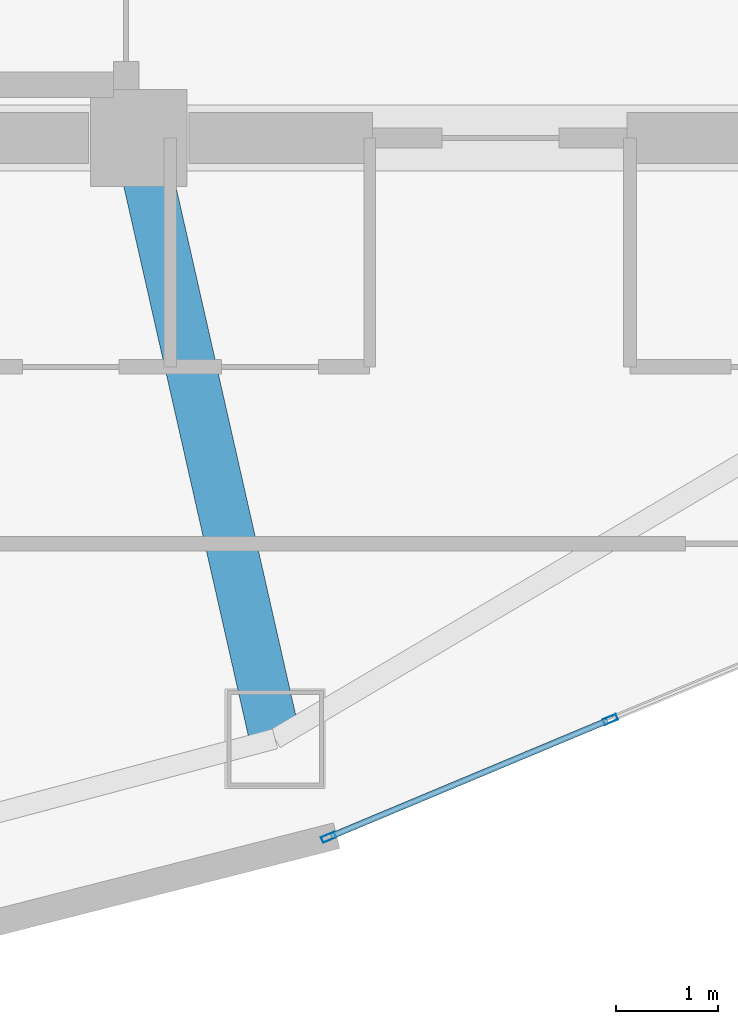
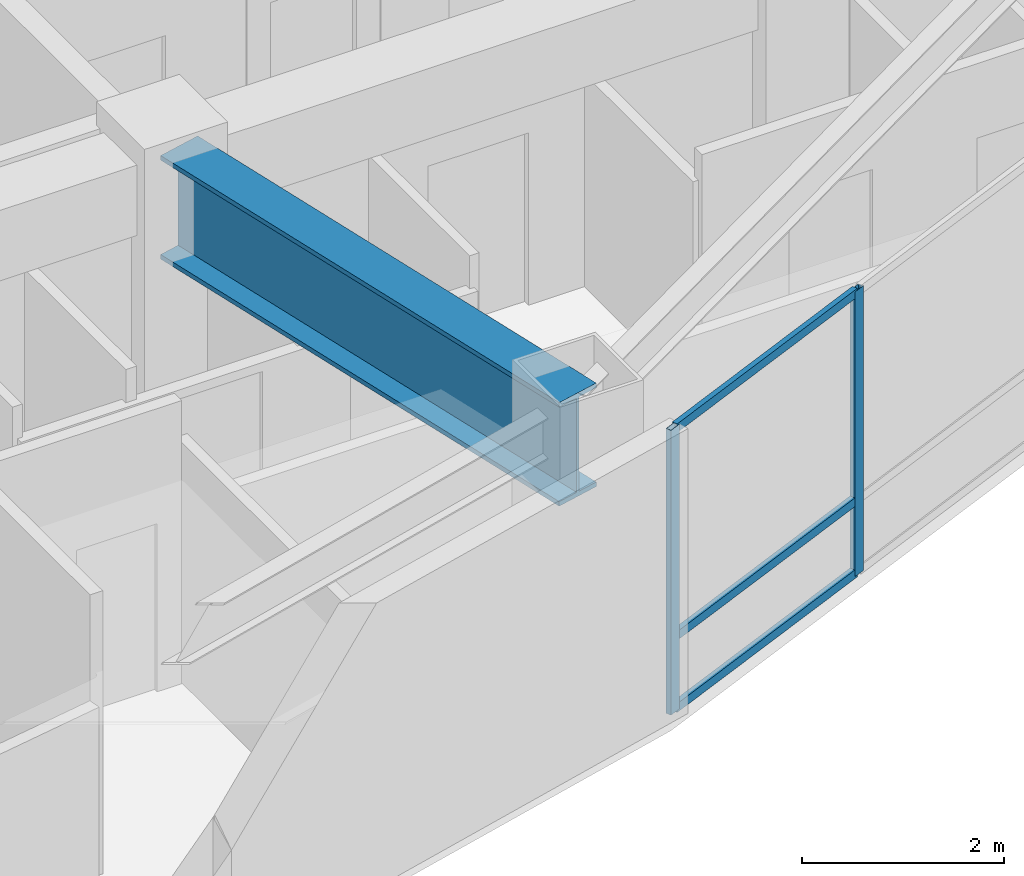
# One storey, part 2 of 15: 5 members, 1 beam, 1 element without a shape of its own.
"""IFC4 building model written with IfcOpenShell, lengths in metres."""

from ifc_helpers import new_model, si_unit, direction, frame, origin, origin_2d, place, context, subcontext, project, spatial, hollow_rectangle, i_section, extrude, material, layer, layer_set, material_profile, profile_set, type_object, element, aggregate, save


model = new_model("IFC4")

# Units and contexts
model_context = context("Model", 3, precision=1e-05, world=origin(), true_north=direction((0.0, 1.0)))
body_context = subcontext(model_context, "Body", "Model", "MODEL_VIEW")
ifc_project = project(units=[si_unit("LENGTHUNIT", "METRE"), si_unit("AREAUNIT", "SQUARE_METRE"), si_unit("VOLUMEUNIT", "CUBIC_METRE"), si_unit("PLANEANGLEUNIT", "RADIAN"), si_unit("MASSUNIT", "GRAM", prefix="KILO")], contexts=[model_context])

# Site, building, storey
site_placement = place(None, origin())
site = spatial("IfcSite", under=ifc_project, at=site_placement, CompositionType="ELEMENT")
building_placement = place(site_placement, origin())
building = spatial("IfcBuilding", under=site, at=building_placement, Name="Menara Vayukalpa", CompositionType="ELEMENT")
storey_placement = place(building_placement, frame((0.0, 0.0, 230.699951171875)))
storey = spatial("IfcBuildingStorey", under=building, at=storey_placement, Name="L58", CompositionType="ELEMENT", Elevation=230.699951171875)

# Beam
ifc_material_1 = material(Name="Steel S460", Category="steel")
ifc_material_profile_1 = material_profile(ifc_material_1, i_section(OverallWidth=0.5, OverallDepth=1.25, WebThickness=0.028076171875, FlangeThickness=0.054931640625, at=origin_2d()), Name="WG 1250x500x28x55")
ifc_profile_set_1 = profile_set([ifc_material_profile_1], Name="Steel S460")
beam_type = type_object("IfcBeamType", Name="BM-TG2", PredefinedType="BEAM", material=ifc_profile_set_1)
beam_placement = place(storey_placement, frame((22.105224609375, 16.956298828125, 2.81494140625), z_axis=(0.221085149161, -0.975254508741, 0.0), x_axis=(0.975254508741, 0.221085149161, 0.0)))
element("IfcBeam", 1, at=beam_placement, inside=storey, type_object=beam_type, Name="L58 Primary Radial Girder RG08", PredefinedType="BEAM", context=body_context, shape_type="SweptSolid", body=[
    extrude(i_section(OverallWidth=0.5, OverallDepth=1.25, WebThickness=0.028076171875, FlangeThickness=0.054931640625, at=origin_2d()), origin(), (0.0, 0.0, 1.0), 5.80859375),
])

# Curtain wall, members
ifc_material_2 = material(Name="Anodised Terracotta Aluminium Alloy 6063-T6", Category="masonry")
ifc_layer = layer(ifc_material_2, 0.139892578125)
ifc_layer_set = layer_set([ifc_layer], Name="Anodised Terracotta Aluminium Alloy 6063-T6")
curtain_wall_type = type_object("IfcCurtainWallType", Name="CW-CW5", PredefinedType="USERDEFINED", material=ifc_layer_set)
curtain_wall_placement = place(storey_placement, origin())
curtain_wall = element("IfcCurtainWall", 2, at=curtain_wall_placement, inside=storey, type_object=curtain_wall_type, Name="L58 High Rise Tapered Curtain Wall CW5 16", ObjectType="UNITISED", PredefinedType="USERDEFINED")
ifc_material_3 = material(Name="Anodised Terracotta Aluminium Alloy 6063-T6", Category="masonry")
ifc_material_profile_2 = material_profile(ifc_material_3, hollow_rectangle(XDim=0.06005859375, YDim=0.139892578125, WallThickness=0.00341796875, at=origin_2d()), Name="ALU 60x140x3.5")
ifc_profile_set_2 = profile_set([ifc_material_profile_2], Name="Anodised Terracotta Aluminium Alloy 6063-T6")
member_type_1 = type_object("IfcMemberType", Name="CWM-CW5", PredefinedType="MULLION", material=ifc_profile_set_2)
member_1_placement = place(storey_placement, frame((23.916259765625, 10.322998046875, 0.0), z_axis=(0.0, 0.0, 1.0), x_axis=(-0.385902834406, 0.922539431351, 0.0)))
member_1 = element("IfcMember", 3, at=member_1_placement, type_object=member_type_1, Name="CW5 mullion 1", PredefinedType="MULLION", context=body_context, shape_type="SweptSolid", body=[
    extrude(hollow_rectangle(XDim=0.06005859375, YDim=0.139892578125, WallThickness=0.00341796875, at=origin_2d()), origin(), (0.0, 0.0, 1.0), 3.43994140625),
])
member_2_placement = place(storey_placement, frame((26.686279296875, 11.481689453125, 0.0), z_axis=(0.0, 0.0, 1.0), x_axis=(-0.385902834406, 0.922539431351, 0.0)))
member_2 = element("IfcMember", 4, at=member_2_placement, type_object=member_type_1, Name="CW5 mullion 2", PredefinedType="MULLION", context=body_context, shape_type="SweptSolid", body=[
    extrude(hollow_rectangle(XDim=0.06005859375, YDim=0.139892578125, WallThickness=0.00341796875, at=origin_2d()), origin(), (0.0, 0.0, 1.0), 3.43994140625),
])
ifc_material_4 = material(Name="Anodised Terracotta Aluminium Alloy 6063-T6", Category="masonry")
ifc_material_profile_3 = material_profile(ifc_material_4, hollow_rectangle(XDim=0.06005859375, YDim=0.10498046875, WallThickness=0.0029296875, at=origin_2d()), Name="ALU 60x105x3")
ifc_profile_set_3 = profile_set([ifc_material_profile_3], Name="Anodised Terracotta Aluminium Alloy 6063-T6")
member_type_2 = type_object("IfcMemberType", Name="CWT-CW5", PredefinedType="USERDEFINED", material=ifc_profile_set_3)
member_3_placement = place(storey_placement, frame((23.94384765625, 10.33447265625, 0.030029296875), z_axis=(0.922543360613, 0.385893440976, 0.0), x_axis=(-0.385893440976, 0.922543360613, 0.0)))
member_3 = element("IfcMember", 5, at=member_3_placement, type_object=member_type_2, Name="CW5 transom 1.1", ObjectType="TRANSOM", PredefinedType="USERDEFINED", context=body_context, shape_type="SweptSolid", body=[
    extrude(hollow_rectangle(XDim=0.06005859375, YDim=0.10498046875, WallThickness=0.0029296875, at=origin_2d()), origin(), (0.0, 0.0, 1.0), 2.942626953125),
])
member_4_placement = place(storey_placement, frame((23.94384765625, 10.33447265625, 0.900146484375), z_axis=(0.922543360613, 0.385893440976, 0.0), x_axis=(-0.385893440976, 0.922543360613, 0.0)))
member_4 = element("IfcMember", 6, at=member_4_placement, type_object=member_type_2, Name="CW5 transom 1.2", ObjectType="TRANSOM", PredefinedType="USERDEFINED", context=body_context, shape_type="SweptSolid", body=[
    extrude(hollow_rectangle(XDim=0.06005859375, YDim=0.10498046875, WallThickness=0.0029296875, at=origin_2d()), origin(), (0.0, 0.0, 1.0), 2.942626953125),
])
member_5_placement = place(storey_placement, frame((23.94384765625, 10.33447265625, 3.41015625), z_axis=(0.922543360613, 0.385893440976, 0.0), x_axis=(-0.385893440976, 0.922543360613, 0.0)))
member_5 = element("IfcMember", 7, at=member_5_placement, type_object=member_type_2, Name="CW5 transom 1.3", ObjectType="TRANSOM", PredefinedType="USERDEFINED", context=body_context, shape_type="SweptSolid", body=[
    extrude(hollow_rectangle(XDim=0.06005859375, YDim=0.10498046875, WallThickness=0.0029296875, at=origin_2d()), origin(), (0.0, 0.0, 1.0), 2.942626953125),
])
aggregate(curtain_wall, [member_1, member_2, member_3, member_4, member_5])

save(model, "model.ifc")
